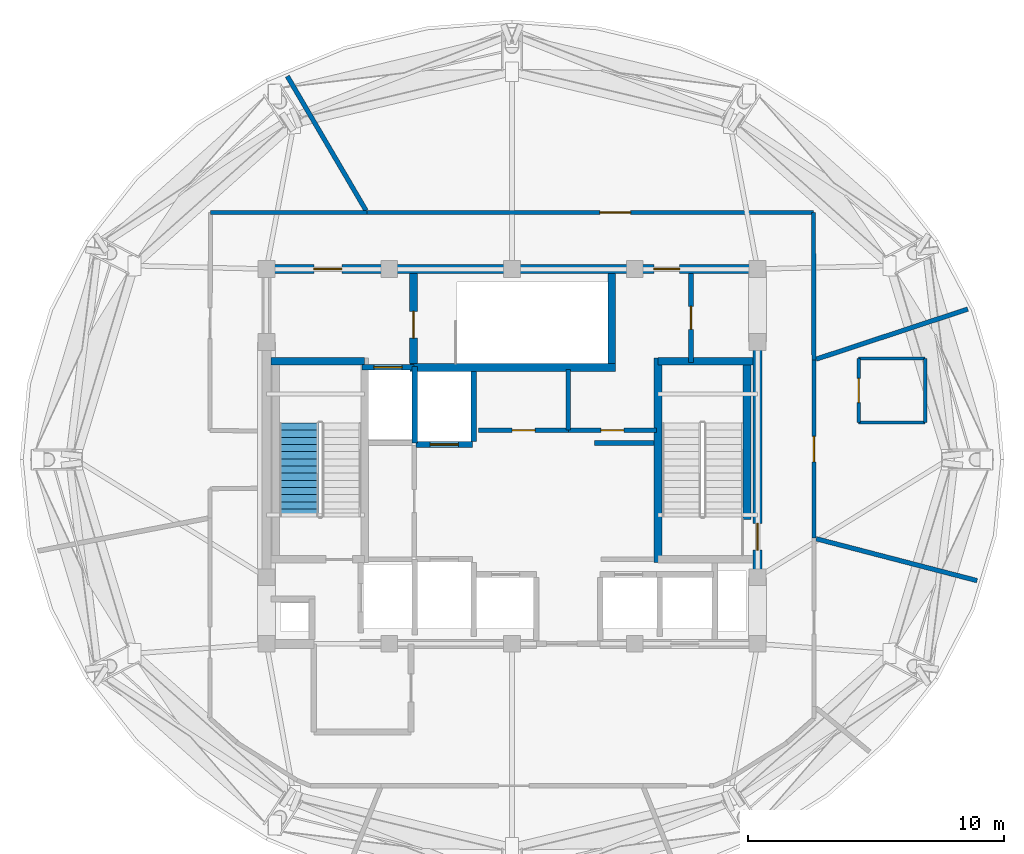
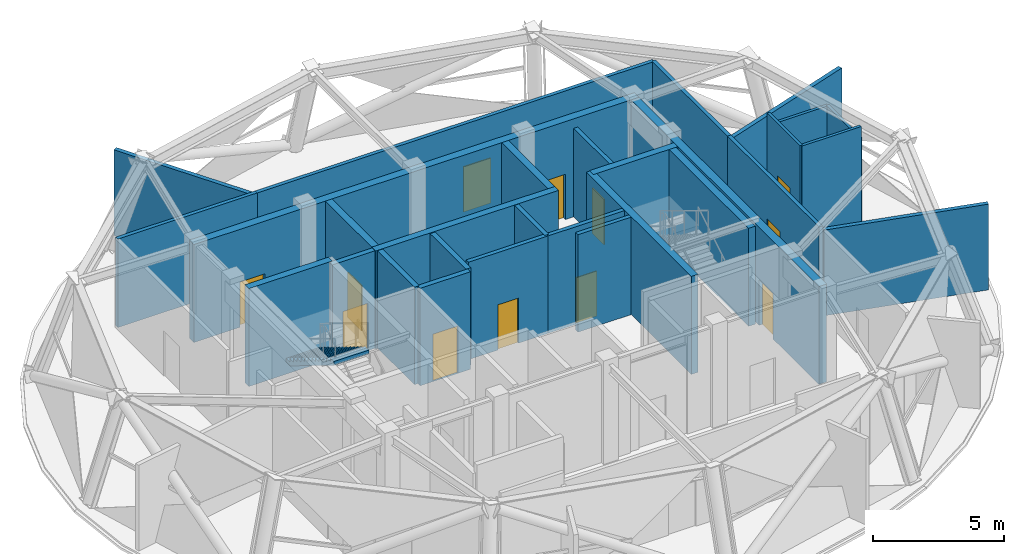
# One storey, part 6 of 11: 29 walls, 12 doors, 1 stair flight, 12 openings, 1 element without a shape of its own.
"""IFC4 building model written with IfcOpenShell, lengths in metres."""

from ifc_helpers import new_model, si_unit, direction, frame, frame_2d, origin, place, context, subcontext, project, spatial, polyline, rectangle, outline, extrude, material, layer, layer_set, type_object, element, fill, aggregate, save


model = new_model("IFC4")

# Units and contexts
model_context = context("Model", 3, precision=1e-05, world=origin(), true_north=direction((0.0, 1.0)))
body_context = subcontext(model_context, "Body", "Model", "MODEL_VIEW")
ifc_project = project(units=[si_unit("LENGTHUNIT", "METRE"), si_unit("AREAUNIT", "SQUARE_METRE"), si_unit("VOLUMEUNIT", "CUBIC_METRE"), si_unit("PLANEANGLEUNIT", "RADIAN"), si_unit("MASSUNIT", "GRAM", prefix="KILO")], contexts=[model_context])

# Site, building, storey
site_placement = place(None, origin())
site = spatial("IfcSite", under=ifc_project, at=site_placement, CompositionType="ELEMENT")
building_placement = place(site_placement, origin())
building = spatial("IfcBuilding", under=site, at=building_placement, Name="Vantalir Tower", CompositionType="ELEMENT")
storey_placement = place(building_placement, frame((0.0, 0.0, 299.699951171875)))
storey = spatial("IfcBuildingStorey", under=building, at=storey_placement, Name="L75", CompositionType="ELEMENT", Elevation=299.699951171875)

# Walls
ifc_material_1 = material(Name="Moisture-resistant en-suite partition", Category="gypsum")
ifc_layer_1 = layer(ifc_material_1, 0.125)
ifc_layer_set_1 = layer_set([ifc_layer_1], Name="Moisture-resistant en-suite partition")
wall_type_1 = type_object("IfcWallType", Name="WL-BATH-125", PredefinedType="PARTITIONING", material=ifc_layer_set_1)
wall_1_placement = place(storey_placement, frame((45.052978515625, 26.450927734375, 0.0), z_axis=(0.0, 0.0, 1.0), x_axis=(1.0, 0.0, 0.0)))
element("IfcWall", 1, at=wall_1_placement, inside=storey, type_object=wall_type_1, Name="L75 Accessible WC South Wall", PredefinedType="PARTITIONING", context=body_context, shape_type="SweptSolid", body=[
    extrude(rectangle(XDim=2.60009765625, YDim=0.125, at=frame_2d((1.300048828125, 0.0))), origin(), (0.0, 0.0, 1.0), 4.530029296875),
])
wall_2_placement = place(storey_placement, frame((45.052978515625, 28.950927734375, 0.0), z_axis=(0.0, 0.0, 1.0), x_axis=(1.0, 0.0, 0.0)))
element("IfcWall", 2, at=wall_2_placement, inside=storey, type_object=wall_type_1, Name="L75 Accessible WC North Wall", PredefinedType="PARTITIONING", context=body_context, shape_type="SweptSolid", body=[
    extrude(rectangle(XDim=2.60009765625, YDim=0.125, at=frame_2d((1.300048828125, 0.0))), origin(), (0.0, 0.0, 1.0), 3.983154296875),
])

# Wall, opening, door
wall_3_placement = place(storey_placement, frame((45.052978515625, 26.450927734375, 0.0), z_axis=(0.0, 0.0, 1.0), x_axis=(0.0, 1.0, 0.0)))
wall_3 = element("IfcWall", 3, at=wall_3_placement, inside=storey, type_object=wall_type_1, Name="L75 Accessible WC West Wall", PredefinedType="PARTITIONING", context=body_context, shape_type="SweptSolid", body=[
    extrude(rectangle(XDim=2.5, YDim=0.125, at=frame_2d((1.25, 0.0))), origin(), (0.0, 0.0, 1.0), 4.530029296875),
])
opening_1_placement = place(wall_3_placement, frame((0.77490234375, 0.0, 0.0)))
opening_1 = element("IfcOpeningElement", 4, at=opening_1_placement, cuts=wall_3, Name="Opening D-AWC", PredefinedType="OPENING", context=body_context, shape_type="SweptSolid", body=[
    extrude(rectangle(XDim=0.949951171875, YDim=2.10009765625, at=frame_2d((0.47509765625, 1.050048828125))), frame((0.0, 0.072509765625, 0.0), z_axis=(0.0, -1.0, 0.0), x_axis=(1.0, 0.0, 0.0)), (0.0, 0.0, 1.0), 0.14501953125),
])
ifc_material_2 = material(Name="Accessible toilet outward-opening hardwood door", Category="wood")
door_type_1 = type_object("IfcDoorType", Name="DR-ACC-WC-950", OperationType="NOTDEFINED", PredefinedType="DOOR", material=ifc_material_2)
door_1_placement = place(opening_1_placement, origin())
door_1 = element("IfcDoor", 5, at=door_1_placement, inside=storey, type_object=door_type_1, Name="L75 Accessible WC Door", OperationType="SINGLE_SWING_LEFT", OverallHeight=2.10009765625, OverallWidth=0.949951171875, PredefinedType="DOOR", context=body_context, shape_type="SweptSolid", body=[
    extrude(rectangle(XDim=0.949951171875, YDim=2.10009765625, at=frame_2d((0.47509765625, 1.050048828125))), frame((0.0, 0.02490234375, 0.0), z_axis=(0.0, -1.0, 0.0), x_axis=(1.0, 0.0, 0.0)), (0.0, 0.0, 1.0), 0.050048828125),
])
fill(opening_1, door_1)

# Wall
wall_4_placement = place(storey_placement, frame((47.653076171875, 26.450927734375, 0.0), z_axis=(0.0, 0.0, 1.0), x_axis=(0.0, 1.0, 0.0)))
element("IfcWall", 6, at=wall_4_placement, inside=storey, type_object=wall_type_1, Name="L75 Accessible WC East Wall", PredefinedType="PARTITIONING", context=body_context, shape_type="SweptSolid", body=[
    extrude(rectangle(XDim=2.5, YDim=0.125, at=frame_2d((1.25, 0.0))), origin(), (0.0, 0.0, 1.0), 3.983154296875),
])

# Wall, openings, doors
ifc_material_3 = material(Name="Concrete C50/60", Category="concrete")
ifc_layer_2 = layer(ifc_material_3, 0.35009765625)
ifc_layer_set_2 = layer_set([ifc_layer_2], Name="Concrete C50/60")
wall_type_2 = type_object("IfcWallType", Name="WL-CORE-350", PredefinedType="SHEAR", material=ifc_layer_set_2)
wall_5_placement = place(storey_placement, frame((21.72509765625, 32.449951171875, 0.0), z_axis=(0.0, 0.0, 1.0), x_axis=(1.0, 0.0, 0.0)))
wall_5 = element("IfcWall", 7, at=wall_5_placement, inside=storey, type_object=wall_type_2, Name="L75 Core Shear Wall North", PredefinedType="SHEAR", context=body_context, shape_type="SweptSolid", body=[
    extrude(rectangle(XDim=19.5498046875, YDim=0.35009765625, at=frame_2d((9.77490234375, 0.0))), origin(), (0.0, 0.0, 1.0), 4.550048828125),
])
opening_2_placement = place(wall_5_placement, frame((2.02490234375, 0.0, 0.0)))
opening_2 = element("IfcOpeningElement", 8, at=opening_2_placement, cuts=wall_5, Name="Opening D-FFL", PredefinedType="OPENING", context=body_context, shape_type="SweptSolid", body=[
    extrude(rectangle(XDim=1.10009765625, YDim=2.10009765625, at=frame_2d((0.550048828125, 1.050048828125))), frame((0.0, 0.18505859375, 0.0), z_axis=(0.0, -1.0, 0.0), x_axis=(1.0, 0.0, 0.0)), (0.0, 0.0, 1.0), 0.3701171875),
])
opening_3_placement = place(wall_5_placement, frame((15.324951171875, 0.0, 0.0)))
opening_3 = element("IfcOpeningElement", 9, at=opening_3_placement, cuts=wall_5, Name="Opening D-GUEST", PredefinedType="OPENING", context=body_context, shape_type="SweptSolid", body=[
    extrude(rectangle(XDim=1.0, YDim=2.10009765625, at=frame_2d((0.5, 1.050048828125))), frame((0.0, 0.18505859375, 0.0), z_axis=(0.0, -1.0, 0.0), x_axis=(1.0, 0.0, 0.0)), (0.0, 0.0, 1.0), 0.3701171875),
])
ifc_material_4 = material(Name="Fire-rated acoustic steel door", Category="steel")
door_type_2 = type_object("IfcDoorType", Name="DR-FIRE-LOBBY-1100", OperationType="NOTDEFINED", PredefinedType="DOOR", material=ifc_material_4)
door_2_placement = place(opening_2_placement, frame((1.10009765625, 0.0, 0.0), z_axis=(0.0, 0.0, 1.0), x_axis=(-1.0, 0.0, 0.0)))
door_2 = element("IfcDoor", 10, at=door_2_placement, inside=storey, type_object=door_type_2, Name="L75 Firefighting Lobby East Access Door", OperationType="SINGLE_SWING_LEFT", OverallHeight=2.10009765625, OverallWidth=1.10009765625, PredefinedType="DOOR", context=body_context, shape_type="SweptSolid", body=[
    extrude(rectangle(XDim=1.10009765625, YDim=2.10009765625, at=frame_2d((0.550048828125, 1.050048828125))), frame((0.0, 0.02490234375, 0.0), z_axis=(0.0, -1.0, 0.0), x_axis=(1.0, 0.0, 0.0)), (0.0, 0.0, 1.0), 0.050048828125),
])
fill(opening_2, door_2)
ifc_material_5 = material(Name="Solid-core teak veneer acoustic fire door", Category="wood")
door_type_3 = type_object("IfcDoorType", Name="DR-GUEST-ENTRY-1000", OperationType="NOTDEFINED", PredefinedType="DOOR", material=ifc_material_5)
door_3_placement = place(opening_3_placement, frame((1.0, 0.0, 0.0), z_axis=(0.0, 0.0, 1.0), x_axis=(-1.0, 0.0, 0.0)))
door_3 = element("IfcDoor", 11, at=door_3_placement, inside=storey, type_object=door_type_3, Name="L75 North Core Service Lobby Door", OperationType="SINGLE_SWING_LEFT", OverallHeight=2.10009765625, OverallWidth=1.0, PredefinedType="DOOR", context=body_context, shape_type="SweptSolid", body=[
    extrude(rectangle(XDim=1.0, YDim=2.10009765625, at=frame_2d((0.5, 1.050048828125))), frame((0.0, 0.02490234375, 0.0), z_axis=(0.0, -1.0, 0.0), x_axis=(1.0, 0.0, 0.0)), (0.0, 0.0, 1.0), 0.050048828125),
])
fill(opening_3, door_3)

# Wall, opening, door
wall_6_placement = place(storey_placement, frame((41.10009765625, 17.97509765625, 0.0), z_axis=(0.0, 0.0, 1.0), x_axis=(0.0, 1.0, 0.0)))
wall_6 = element("IfcWall", 12, at=wall_6_placement, inside=storey, type_object=wall_type_2, Name="L75 Core Shear Wall East", PredefinedType="SHEAR", context=body_context, shape_type="SweptSolid", body=[
    extrude(rectangle(XDim=14.2998046875, YDim=0.35009765625, at=frame_2d((7.14990234375, 0.0))), origin(), (0.0, 0.0, 1.0), 4.550048828125),
])
opening_4_placement = place(wall_6_placement, frame((3.485107421875, 0.0, 0.0)))
opening_4 = element("IfcOpeningElement", 13, at=opening_4_placement, cuts=wall_6, Name="Opening D-ST", PredefinedType="OPENING", context=body_context, shape_type="SweptSolid", body=[
    extrude(rectangle(XDim=1.050048828125, YDim=2.10009765625, at=frame_2d((0.52490234375, 1.050048828125))), frame((0.0, 0.18505859375, 0.0), z_axis=(0.0, -1.0, 0.0), x_axis=(1.0, 0.0, 0.0)), (0.0, 0.0, 1.0), 0.3701171875),
])
ifc_material_6 = material(Name="Fire-rated steel door leaf", Category="steel")
door_type_4 = type_object("IfcDoorType", Name="DR-FIRE-STAIR-1050", OperationType="NOTDEFINED", PredefinedType="DOOR", material=ifc_material_6)
door_4_placement = place(opening_4_placement, origin())
door_4 = element("IfcDoor", 14, at=door_4_placement, inside=storey, type_object=door_type_4, Name="L75 Exit Stair ST2 Fire Door", OperationType="SINGLE_SWING_LEFT", OverallHeight=2.10009765625, OverallWidth=1.050048828125, PredefinedType="DOOR", context=body_context, shape_type="SweptSolid", body=[
    extrude(rectangle(XDim=1.050048828125, YDim=2.10009765625, at=frame_2d((0.52490234375, 1.050048828125))), frame((0.0, 0.02490234375, 0.0), z_axis=(0.0, -1.0, 0.0), x_axis=(1.0, 0.0, 0.0)), (0.0, 0.0, 1.0), 0.050048828125),
])
fill(opening_4, door_4)

# Wall
ifc_material_7 = material(Name="Fire-rated hotel corridor acoustic partition", Category="gypsum")
ifc_layer_3 = layer(ifc_material_7, 0.159912109375)
ifc_layer_set_3 = layer_set([ifc_layer_3], Name="Fire-rated hotel corridor acoustic partition")
wall_type_3 = type_object("IfcWallType", Name="WL-CORR-160", PredefinedType="PARTITIONING", material=ifc_layer_set_3)
wall_7_placement = place(storey_placement, frame((19.7099609375, 34.662109375, 0.0), z_axis=(0.0, 0.0, 1.0), x_axis=(1.0, 0.0, 0.0)))
element("IfcWall", 15, at=wall_7_placement, inside=storey, type_object=wall_type_3, Name="L75 Corridor Partition 03", PredefinedType="PARTITIONING", context=body_context, shape_type="SweptSolid", body=[
    extrude(rectangle(XDim=6.129150390625, YDim=0.159912109375, at=frame_2d((3.064453125, 0.0))), origin(), (0.0, 0.0, 1.0), 4.112060546875),
])

# Wall, opening, door
wall_8_placement = place(storey_placement, frame((25.839111328125, 34.662109375, 0.0), z_axis=(0.0, 0.0, 1.0), x_axis=(0.999999992077, -0.000125882928, 0.0)))
wall_8 = element("IfcWall", 16, at=wall_8_placement, inside=storey, type_object=wall_type_3, Name="L75 Corridor Partition 04", PredefinedType="PARTITIONING", context=body_context, shape_type="SweptSolid", body=[
    extrude(rectangle(XDim=17.454833984375, YDim=0.159912109375, at=frame_2d((8.7275390625, 0.0))), origin(), (0.0, 0.0, 1.0), 4.112060546875),
])
opening_5_placement = place(wall_8_placement, frame((9.095947265625, 0.0, 0.0)))
opening_5 = element("IfcOpeningElement", 17, at=opening_5_placement, cuts=wall_8, Name="Opening D-STE", PredefinedType="OPENING", context=body_context, shape_type="SweptSolid", body=[
    extrude(rectangle(XDim=1.199951171875, YDim=2.10009765625, at=frame_2d((0.60009765625, 1.050048828125))), frame((0.0, 0.08984375, 0.0), z_axis=(0.0, -1.0, 0.0), x_axis=(1.0, 0.0, 0.0)), (0.0, 0.0, 1.0), 0.179931640625),
])
ifc_material_8 = material(Name="Solid-core teak veneer suite entrance door", Category="wood")
door_type_5 = type_object("IfcDoorType", Name="DR-SUITE-ENTRY-1200", OperationType="NOTDEFINED", PredefinedType="DOOR", material=ifc_material_8)
door_5_placement = place(opening_5_placement, origin())
door_5 = element("IfcDoor", 18, at=door_5_placement, inside=storey, type_object=door_type_5, Name="L75 Upper Observation Viewing Gallery Door", OperationType="SINGLE_SWING_LEFT", OverallHeight=2.10009765625, OverallWidth=1.199951171875, PredefinedType="DOOR", context=body_context, shape_type="SweptSolid", body=[
    extrude(rectangle(XDim=1.199951171875, YDim=2.10009765625, at=frame_2d((0.60009765625, 1.050048828125))), frame((0.0, 0.02490234375, 0.0), z_axis=(0.0, -1.0, 0.0), x_axis=(1.0, 0.0, 0.0)), (0.0, 0.0, 1.0), 0.050048828125),
])
fill(opening_5, door_5)

# Wall
wall_9_placement = place(storey_placement, frame((43.2939453125, 34.659912109375, 0.0), z_axis=(0.0, 0.0, 1.0), x_axis=(0.000889641673, -0.999999604269, 0.0)))
element("IfcWall", 19, at=wall_9_placement, inside=storey, type_object=wall_type_3, Name="L75 Corridor Partition 05", PredefinedType="PARTITIONING", context=body_context, shape_type="SweptSolid", body=[
    extrude(rectangle(XDim=5.762939453125, YDim=0.159912109375, at=frame_2d((2.88134765625, 0.0))), origin(), (0.0, 0.0, 1.0), 4.112060546875),
])

# Wall, opening, door
wall_10_placement = place(storey_placement, frame((43.299072265625, 28.89697265625, 0.0), z_axis=(0.0, 0.0, 1.0), x_axis=(0.000840777422, -0.999999646547, 0.0)))
wall_10 = element("IfcWall", 20, at=wall_10_placement, inside=storey, type_object=wall_type_3, Name="L75 Corridor Partition 06", PredefinedType="PARTITIONING", context=body_context, shape_type="SweptSolid", body=[
    extrude(rectangle(XDim=6.968994140625, YDim=0.159912109375, at=frame_2d((3.484375, 0.0))), origin(), (0.0, 0.0, 1.0), 4.112060546875),
])
opening_6_placement = place(wall_10_placement, frame((2.985107421875, 0.0, 0.0)))
opening_6 = element("IfcOpeningElement", 21, at=opening_6_placement, cuts=wall_10, Name="Opening D-GUEST", PredefinedType="OPENING", context=body_context, shape_type="SweptSolid", body=[
    extrude(rectangle(XDim=1.0, YDim=2.10009765625, at=frame_2d((0.5, 1.050048828125))), frame((0.0, 0.08984375, 0.0), z_axis=(0.0, -1.0, 0.0), x_axis=(1.0, 0.0, 0.0)), (0.0, 0.0, 1.0), 0.179931640625),
])
door_6_placement = place(opening_6_placement, origin())
door_6 = element("IfcDoor", 22, at=door_6_placement, inside=storey, type_object=door_type_3, Name="L75 Sanitary Vestibule Door", OperationType="SINGLE_SWING_LEFT", OverallHeight=2.10009765625, OverallWidth=1.0, PredefinedType="DOOR", context=body_context, shape_type="SweptSolid", body=[
    extrude(rectangle(XDim=1.0, YDim=2.10009765625, at=frame_2d((0.5, 1.050048828125))), frame((0.0, 0.02490234375, 0.0), z_axis=(0.0, -1.0, 0.0), x_axis=(1.0, 0.0, 0.0)), (0.0, 0.0, 1.0), 0.050048828125),
])
fill(opening_6, door_6)

# Wall
ifc_material_9 = material(Name="Concrete blockwork with fireboard lining", Category="masonry")
ifc_layer_4 = layer(ifc_material_9, 0.219970703125)
ifc_layer_set_4 = layer_set([ifc_layer_4], Name="Concrete blockwork with fireboard lining")
wall_type_4 = type_object("IfcWallType", Name="WL-FFL-220", PredefinedType="PARTITIONING", material=ifc_layer_set_4)
wall_11_placement = place(storey_placement, frame((30.0, 25.7099609375, 0.0), z_axis=(0.0, 0.0, 1.0), x_axis=(0.0, 1.0, 0.0)))
element("IfcWall", 23, at=wall_11_placement, inside=storey, type_object=wall_type_4, Name="L75 Service Lift SV2 East Shaft Wall", PredefinedType="PARTITIONING", context=body_context, shape_type="SweptSolid", body=[
    extrude(rectangle(XDim=2.72998046875, YDim=0.219970703125, at=frame_2d((1.364990234375, 0.0))), origin(), (0.0, 0.0, 1.0), 4.525146484375),
])

# Wall, opening, door
wall_12_placement = place(storey_placement, frame((25.639892578125, 28.610107421875, 0.0), z_axis=(0.0, 0.0, 1.0), x_axis=(1.0, 0.0, 0.0)))
wall_12 = element("IfcWall", 24, at=wall_12_placement, inside=storey, type_object=wall_type_4, Name="L75 Lift FL2 Shaft Front Wall", PredefinedType="PARTITIONING", context=body_context, shape_type="SweptSolid", body=[
    extrude(rectangle(XDim=2.02001953125, YDim=0.219970703125, at=frame_2d((1.010009765625, 0.0))), origin(), (0.0, 0.0, 1.0), 4.530029296875),
])
opening_7_placement = place(wall_12_placement, frame((0.4599609375, 0.0, 0.0)))
opening_7 = element("IfcOpeningElement", 25, at=opening_7_placement, cuts=wall_12, Name="Opening LD-FL2", PredefinedType="OPENING", context=body_context, shape_type="SweptSolid", body=[
    extrude(rectangle(XDim=1.10009765625, YDim=2.199951171875, at=frame_2d((0.550048828125, 1.10009765625))), frame((0.0, 0.119873046875, 0.0), z_axis=(0.0, -1.0, 0.0), x_axis=(1.0, 0.0, 0.0)), (0.0, 0.0, 1.0), 0.239990234375),
])
ifc_material_10 = material(Name="Brushed stainless-steel sliding lift landing door", Category="steel")
door_type_6 = type_object("IfcDoorType", Name="DR-LIFT-LANDING-1100", OperationType="DOUBLE_DOOR_SLIDING", PredefinedType="DOOR", material=ifc_material_10)
door_7_placement = place(opening_7_placement, origin())
door_7 = element("IfcDoor", 26, at=door_7_placement, inside=storey, type_object=door_type_6, Name="L75 Lift Landing Door FL2", OperationType="DOUBLE_DOOR_SLIDING", OverallHeight=2.199951171875, OverallWidth=1.10009765625, PredefinedType="DOOR", context=body_context, shape_type="SweptSolid", body=[
    extrude(rectangle(XDim=1.10009765625, YDim=2.199951171875, at=frame_2d((0.550048828125, 1.10009765625))), frame((0.0, 0.02490234375, 0.0), z_axis=(0.0, -1.0, 0.0), x_axis=(1.0, 0.0, 0.0)), (0.0, 0.0, 1.0), 0.050048828125),
])
fill(opening_7, door_7)

wall_13_placement = place(storey_placement, frame((27.739990234375, 25.590087890625, 0.0), z_axis=(0.0, 0.0, 1.0), x_axis=(1.0, 0.0, 0.0)))
wall_13 = element("IfcWall", 27, at=wall_13_placement, inside=storey, type_object=wall_type_4, Name="L75 Lift SV2 Shaft Front Wall", PredefinedType="PARTITIONING", context=body_context, shape_type="SweptSolid", body=[
    extrude(rectangle(XDim=2.219970703125, YDim=0.219970703125, at=frame_2d((1.10986328125, 0.0))), origin(), (0.0, 0.0, 1.0), 4.530029296875),
])
opening_8_placement = place(wall_13_placement, frame((0.56005859375, 0.0, 0.0)))
opening_8 = element("IfcOpeningElement", 28, at=opening_8_placement, cuts=wall_13, Name="Opening LD-SV2", PredefinedType="OPENING", context=body_context, shape_type="SweptSolid", body=[
    extrude(rectangle(XDim=1.10009765625, YDim=2.199951171875, at=frame_2d((0.550048828125, 1.10009765625))), frame((0.0, 0.119873046875, 0.0), z_axis=(0.0, -1.0, 0.0), x_axis=(1.0, 0.0, 0.0)), (0.0, 0.0, 1.0), 0.239990234375),
])
door_8_placement = place(opening_8_placement, frame((1.10009765625, 0.0, 0.0), z_axis=(0.0, 0.0, 1.0), x_axis=(-1.0, 0.0, 0.0)))
door_8 = element("IfcDoor", 29, at=door_8_placement, inside=storey, type_object=door_type_6, Name="L75 Lift Landing Door SV2", OperationType="DOUBLE_DOOR_SLIDING", OverallHeight=2.199951171875, OverallWidth=1.10009765625, PredefinedType="DOOR", context=body_context, shape_type="SweptSolid", body=[
    extrude(rectangle(XDim=1.10009765625, YDim=2.199951171875, at=frame_2d((0.550048828125, 1.10009765625))), frame((0.0, 0.02490234375, 0.0), z_axis=(0.0, -1.0, 0.0), x_axis=(1.0, 0.0, 0.0)), (0.0, 0.0, 1.0), 0.050048828125),
])
fill(opening_8, door_8)

# Walls
wall_14_placement = place(storey_placement, frame((27.699951171875, 25.64990234375, 0.0), z_axis=(0.0, 0.0, 1.0), x_axis=(0.0, 1.0, 0.0)))
element("IfcWall", 30, at=wall_14_placement, inside=storey, type_object=wall_type_4, Name="L75 Fire Lift FL2 Dividing Wall", PredefinedType="PARTITIONING", context=body_context, shape_type="SweptSolid", body=[
    extrude(rectangle(XDim=3.0, YDim=0.219970703125, at=frame_2d((1.5, 0.0))), origin(), (0.0, 0.0, 1.0), 4.530029296875),
])
ifc_material_11 = material(Name="Twin-stud acoustic fire-rated gypsum partition", Category="gypsum")
ifc_layer_5 = layer(ifc_material_11, 0.179931640625)
ifc_layer_set_5 = layer_set([ifc_layer_5], Name="Twin-stud acoustic fire-rated gypsum partition")
wall_type_5 = type_object("IfcWallType", Name="WL-GUEST-180", PredefinedType="PARTITIONING", material=ifc_layer_set_5)
wall_15_placement = place(storey_placement, frame((34.719970703125, 25.64990234375, 0.0), z_axis=(0.0, 0.0, 1.0), x_axis=(1.0, 0.0, 0.0)))
element("IfcWall", 31, at=wall_15_placement, inside=storey, type_object=wall_type_5, Name="L75 Freed East Core North Wall", PredefinedType="PARTITIONING", context=body_context, shape_type="SweptSolid", body=[
    extrude(rectangle(XDim=2.340087890625, YDim=0.179931640625, at=frame_2d((1.169921875, 0.0))), origin(), (0.0, 0.0, 1.0), 4.530029296875),
])
wall_16_placement = place(storey_placement, frame((33.699951171875, 26.14990234375, 0.0), z_axis=(0.0, 0.0, 1.0), x_axis=(0.0, 1.0, 0.0)))
element("IfcWall", 32, at=wall_16_placement, inside=storey, type_object=wall_type_5, Name="L75 Freed North-Mid Core Divider", PredefinedType="PARTITIONING", context=body_context, shape_type="SweptSolid", body=[
    extrude(rectangle(XDim=2.3701171875, YDim=0.179931640625, at=frame_2d((1.18505859375, 0.0))), origin(), (0.0, 0.0, 1.0), 4.530029296875),
])

# Wall, opening, door
wall_17_placement = place(storey_placement, frame((30.199951171875, 26.14990234375, 0.0), z_axis=(0.0, 0.0, 1.0), x_axis=(1.0, 0.0, 0.0)))
wall_17 = element("IfcWall", 33, at=wall_17_placement, inside=storey, type_object=wall_type_5, Name="L75 Freed North-Mid Core Wall W", PredefinedType="PARTITIONING", context=body_context, shape_type="SweptSolid", body=[
    extrude(rectangle(XDim=3.5, YDim=0.179931640625, at=frame_2d((1.75, 0.0))), origin(), (0.0, 0.0, 1.0), 4.530029296875),
])
opening_9_placement = place(wall_17_placement, frame((1.300048828125, 0.0, 0.0)))
opening_9 = element("IfcOpeningElement", 34, at=opening_9_placement, cuts=wall_17, Name="Opening D-CR", PredefinedType="OPENING", context=body_context, shape_type="SweptSolid", body=[
    extrude(rectangle(XDim=0.89990234375, YDim=2.10009765625, at=frame_2d((0.449951171875, 1.050048828125))), frame((0.0, 0.099853515625, 0.0), z_axis=(0.0, -1.0, 0.0), x_axis=(1.0, 0.0, 0.0)), (0.0, 0.0, 1.0), 0.199951171875),
])
ifc_material_12 = material(Name="Fire-rated steel core service door", Category="steel")
door_type_7 = type_object("IfcDoorType", Name="DR-CORE-SERV-900", OperationType="NOTDEFINED", PredefinedType="DOOR", material=ifc_material_12)
door_9_placement = place(opening_9_placement, origin())
door_9 = element("IfcDoor", 35, at=door_9_placement, inside=storey, type_object=door_type_7, Name="L75 Core Cloakroom Store Door", OperationType="SINGLE_SWING_LEFT", OverallHeight=2.10009765625, OverallWidth=0.89990234375, PredefinedType="DOOR", context=body_context, shape_type="SweptSolid", body=[
    extrude(rectangle(XDim=0.89990234375, YDim=2.10009765625, at=frame_2d((0.449951171875, 1.050048828125))), frame((0.0, 0.02490234375, 0.0), z_axis=(0.0, -1.0, 0.0), x_axis=(1.0, 0.0, 0.0)), (0.0, 0.0, 1.0), 0.050048828125),
])
fill(opening_9, door_9)

wall_18_placement = place(storey_placement, frame((33.699951171875, 26.14990234375, 0.0), z_axis=(0.0, 0.0, 1.0), x_axis=(1.0, 0.0, 0.0)))
wall_18 = element("IfcWall", 36, at=wall_18_placement, inside=storey, type_object=wall_type_5, Name="L75 Freed North-Mid Core Wall E", PredefinedType="PARTITIONING", context=body_context, shape_type="SweptSolid", body=[
    extrude(rectangle(XDim=3.449951171875, YDim=0.179931640625, at=frame_2d((1.72509765625, 0.0))), origin(), (0.0, 0.0, 1.0), 4.530029296875),
])
opening_10_placement = place(wall_18_placement, frame((1.27490234375, 0.0, 0.0)))
opening_10 = element("IfcOpeningElement", 37, at=opening_10_placement, cuts=wall_18, Name="Opening D-CR", PredefinedType="OPENING", context=body_context, shape_type="SweptSolid", body=[
    extrude(rectangle(XDim=0.89990234375, YDim=2.10009765625, at=frame_2d((0.449951171875, 1.050048828125))), frame((0.0, 0.099853515625, 0.0), z_axis=(0.0, -1.0, 0.0), x_axis=(1.0, 0.0, 0.0)), (0.0, 0.0, 1.0), 0.199951171875),
])
door_10_placement = place(opening_10_placement, origin())
door_10 = element("IfcDoor", 38, at=door_10_placement, inside=storey, type_object=door_type_7, Name="L75 Core AV Room Door", OperationType="SINGLE_SWING_RIGHT", OverallHeight=2.10009765625, OverallWidth=0.89990234375, PredefinedType="DOOR", context=body_context, shape_type="SweptSolid", body=[
    extrude(rectangle(XDim=0.89990234375, YDim=2.10009765625, at=frame_2d((0.449951171875, 1.050048828125))), frame((0.0, 0.02490234375, 0.0), z_axis=(0.0, -1.0, 0.0), x_axis=(1.0, 0.0, 0.0)), (0.0, 0.0, 1.0), 0.050048828125),
])
fill(opening_10, door_10)

wall_19_placement = place(storey_placement, frame((38.5, 28.800048828125, 0.0), z_axis=(0.0, 0.0, 1.0), x_axis=(0.0, 1.0, 0.0)))
wall_19 = element("IfcWall", 39, at=wall_19_placement, inside=storey, type_object=wall_type_5, Name="L75 Core Switchroom Partition", PredefinedType="PARTITIONING", context=body_context, shape_type="SweptSolid", body=[
    extrude(rectangle(XDim=3.474853515625, YDim=0.179931640625, at=frame_2d((1.7373046875, 0.0))), origin(), (0.0, 0.0, 1.0), 4.112060546875),
])
opening_11_placement = place(wall_19_placement, frame((1.287109375, 0.0, 0.0)))
opening_11 = element("IfcOpeningElement", 40, at=opening_11_placement, cuts=wall_19, Name="Opening D-CR", PredefinedType="OPENING", context=body_context, shape_type="SweptSolid", body=[
    extrude(rectangle(XDim=0.89990234375, YDim=2.10009765625, at=frame_2d((0.449951171875, 1.050048828125))), frame((0.0, 0.099853515625, 0.0), z_axis=(0.0, -1.0, 0.0), x_axis=(1.0, 0.0, 0.0)), (0.0, 0.0, 1.0), 0.199951171875),
])
door_11_placement = place(opening_11_placement, frame((0.89990234375, 0.0, 0.0), z_axis=(0.0, 0.0, 1.0), x_axis=(-1.0, 0.0, 0.0)))
door_11 = element("IfcDoor", 41, at=door_11_placement, inside=storey, type_object=door_type_7, Name="L75 Core Electrical Switchroom Door", OperationType="SINGLE_SWING_RIGHT", OverallHeight=2.10009765625, OverallWidth=0.89990234375, PredefinedType="DOOR", context=body_context, shape_type="SweptSolid", body=[
    extrude(rectangle(XDim=0.89990234375, YDim=2.10009765625, at=frame_2d((0.449951171875, 1.050048828125))), frame((0.0, 0.02490234375, 0.0), z_axis=(0.0, -1.0, 0.0), x_axis=(1.0, 0.0, 0.0)), (0.0, 0.0, 1.0), 0.050048828125),
])
fill(opening_11, door_11)

# Walls
wall_20_placement = place(storey_placement, frame((43.389892578125, 28.927001953125, 0.0), z_axis=(0.0, 0.0, 1.0), x_axis=(0.949563236254, 0.313575605483, 0.0)))
element("IfcWall", 42, at=wall_20_placement, inside=storey, type_object=wall_type_5, Name="L75 Radial Suite Partition 01", PredefinedType="PARTITIONING", context=body_context, shape_type="SweptSolid", body=[
    extrude(rectangle(XDim=6.244140625, YDim=0.179931640625, at=frame_2d((3.1220703125, 0.0))), origin(), (0.0, 0.0, 1.0), 3.983154296875),
])
wall_21_placement = place(storey_placement, frame((25.79296875, 34.739990234375, 0.0), z_axis=(0.0, 0.0, 1.0), x_axis=(-0.505586641507, 0.862775838749, 0.0)))
element("IfcWall", 43, at=wall_21_placement, inside=storey, type_object=wall_type_5, Name="L75 Radial Suite Partition 02", PredefinedType="PARTITIONING", context=body_context, shape_type="SweptSolid", body=[
    extrude(rectangle(XDim=6.083984375, YDim=0.179931640625, at=frame_2d((3.0419921875, 0.0))), origin(), (0.0, 0.0, 1.0), 3.983154296875),
])
wall_22_placement = place(storey_placement, frame((43.389892578125, 21.906005859375, 0.0), z_axis=(0.0, 0.0, 1.0), x_axis=(0.967777702666, -0.251806112359, 0.0)))
element("IfcWall", 44, at=wall_22_placement, inside=storey, type_object=wall_type_5, Name="L75 Radial Suite Partition 07", PredefinedType="PARTITIONING", context=body_context, shape_type="SweptSolid", body=[
    extrude(rectangle(XDim=6.5048828125, YDim=0.179931640625, at=frame_2d((3.25244140625, 0.0))), origin(), (0.0, 0.0, 1.0), 3.983154296875),
])
ifc_layer_6 = layer(ifc_material_3, 0.300048828125)
ifc_layer_set_6 = layer_set([ifc_layer_6], Name="Concrete C50/60")
wall_type_6 = type_object("IfcWallType", Name="WL-STAIR-300", PredefinedType="SHEAR", material=ifc_layer_set_6)
wall_23_placement = place(storey_placement, frame((22.074951171875, 28.85009765625, 0.0), z_axis=(0.0, 0.0, 1.0), x_axis=(1.0, 0.0, 0.0)))
element("IfcWall", 45, at=wall_23_placement, inside=storey, type_object=wall_type_6, Name="L75 Stair ST1 North Wall", PredefinedType="SHEAR", context=body_context, shape_type="SweptSolid", body=[
    extrude(rectangle(XDim=3.6650390625, YDim=0.300048828125, at=frame_2d((1.83251953125, 0.0))), origin(), (0.0, 0.0, 1.0), 4.550048828125),
])
wall_24_placement = place(storey_placement, frame((37.2099609375, 28.85009765625, 0.0), z_axis=(0.0, 0.0, 1.0), x_axis=(1.0, 0.0, 0.0)))
element("IfcWall", 46, at=wall_24_placement, inside=storey, type_object=wall_type_6, Name="L75 Stair ST2 North Wall", PredefinedType="SHEAR", context=body_context, shape_type="SweptSolid", body=[
    extrude(rectangle(XDim=3.715087890625, YDim=0.300048828125, at=frame_2d((1.857421875, 0.0))), origin(), (0.0, 0.0, 1.0), 4.550048828125),
])
wall_25_placement = place(storey_placement, frame((37.2099609375, 20.97998046875, 0.0), z_axis=(0.0, 0.0, 1.0), x_axis=(0.0, 1.0, 0.0)))
element("IfcWall", 47, at=wall_25_placement, inside=storey, type_object=wall_type_6, Name="L75 Stair ST2 West Wall", PredefinedType="SHEAR", context=body_context, shape_type="SweptSolid", body=[
    extrude(rectangle(XDim=7.989990234375, YDim=0.300048828125, at=frame_2d((3.9951171875, 0.0))), origin(), (0.0, 0.0, 1.0), 4.550048828125),
])
wall_26_placement = place(storey_placement, frame((40.68994140625, 22.64990234375, 0.0), z_axis=(0.0, 0.0, 1.0), x_axis=(0.0, 1.0, 0.0)))
element("IfcWall", 48, at=wall_26_placement, inside=storey, type_object=wall_type_6, Name="L75 Stair ST2 East Liner Wall", PredefinedType="SHEAR", context=body_context, shape_type="SweptSolid", body=[
    extrude(rectangle(XDim=6.2001953125, YDim=0.300048828125, at=frame_2d((3.10009765625, 0.0))), origin(), (0.0, 0.0, 1.0), 4.550048828125),
])
wall_27_placement = place(storey_placement, frame((27.510009765625, 28.60009765625, 0.0), z_axis=(0.0, 0.0, 1.0), x_axis=(1.0, 0.0, 0.0)))
element("IfcWall", 49, at=wall_27_placement, inside=storey, type_object=wall_type_6, Name="L75 Stair ST3 South Wall", PredefinedType="SHEAR", context=body_context, shape_type="SweptSolid", body=[
    extrude(rectangle(XDim=8.030029296875, YDim=0.300048828125, at=frame_2d((4.01513671875, 0.0))), origin(), (0.0, 0.0, 1.0), 4.550048828125),
])

# Wall, opening, door
wall_28_placement = place(storey_placement, frame((27.64990234375, 28.75, 0.0), z_axis=(0.0, 0.0, 1.0), x_axis=(0.0, 1.0, 0.0)))
wall_28 = element("IfcWall", 50, at=wall_28_placement, inside=storey, type_object=wall_type_6, Name="L75 Stair ST3 West Wall", PredefinedType="SHEAR", context=body_context, shape_type="SweptSolid", body=[
    extrude(rectangle(XDim=3.52490234375, YDim=0.300048828125, at=frame_2d((1.762451171875, 0.0))), origin(), (0.0, 0.0, 1.0), 4.550048828125),
])
opening_12_placement = place(wall_28_placement, frame((1.0, 0.0, 0.0)))
opening_12 = element("IfcOpeningElement", 51, at=opening_12_placement, cuts=wall_28, Name="Opening D-ST", PredefinedType="OPENING", context=body_context, shape_type="SweptSolid", body=[
    extrude(rectangle(XDim=1.050048828125, YDim=2.10009765625, at=frame_2d((0.52490234375, 1.050048828125))), frame((0.0, 0.159912109375, 0.0), z_axis=(0.0, -1.0, 0.0), x_axis=(1.0, 0.0, 0.0)), (0.0, 0.0, 1.0), 0.320068359375),
])
door_12_placement = place(opening_12_placement, frame((1.050048828125, 0.0, 0.0), z_axis=(0.0, 0.0, 1.0), x_axis=(-1.0, 0.0, 0.0)))
door_12 = element("IfcDoor", 52, at=door_12_placement, inside=storey, type_object=door_type_4, Name="L75 Exit Stair ST3 Fire Door", OperationType="SINGLE_SWING_RIGHT", OverallHeight=2.10009765625, OverallWidth=1.050048828125, PredefinedType="DOOR", context=body_context, shape_type="SweptSolid", body=[
    extrude(rectangle(XDim=1.050048828125, YDim=2.10009765625, at=frame_2d((0.52490234375, 1.050048828125))), frame((0.0, 0.02490234375, 0.0), z_axis=(0.0, -1.0, 0.0), x_axis=(1.0, 0.0, 0.0)), (0.0, 0.0, 1.0), 0.050048828125),
])
fill(opening_12, door_12)

# Wall
wall_29_placement = place(storey_placement, frame((35.39990234375, 28.75, 0.0), z_axis=(0.0, 0.0, 1.0), x_axis=(0.0, 1.0, 0.0)))
element("IfcWall", 53, at=wall_29_placement, inside=storey, type_object=wall_type_6, Name="L75 Stair ST3 East Wall", PredefinedType="SHEAR", context=body_context, shape_type="SweptSolid", body=[
    extrude(rectangle(XDim=3.52490234375, YDim=0.300048828125, at=frame_2d((1.762451171875, 0.0))), origin(), (0.0, 0.0, 1.0), 4.550048828125),
])

# Stair, stair flight
ifc_material_13 = material(Name="Concrete C40/50", Category="concrete")
stair_type = type_object("IfcStairType", Name="STR-CORE-1450", PredefinedType="HALF_TURN_STAIR", material=ifc_material_13)
stair_placement = place(storey_placement, origin())
stair = element("IfcStair", 54, at=stair_placement, inside=storey, type_object=stair_type, Name="L75 Core Exit Stair 1", PredefinedType="HALF_TURN_STAIR")
stair_flight_type = type_object("IfcStairFlightType", Name="FLT-CORE-1450", PredefinedType="STRAIGHT", material=ifc_material_13)
stair_flight_placement = place(storey_placement, frame((23.169921875, 26.429931640625, 2.400146484375), z_axis=(0.0, 0.0, 1.0), x_axis=(0.0, -1.0, 0.0)))
stair_flight = element("IfcStairFlight", 55, at=stair_flight_placement, type_object=stair_flight_type, Name="ST1 flight 2", NumberOfRisers=14, NumberOfTreads=13, PredefinedType="STRAIGHT", RiserHeight=0.171428571, TreadLength=0.28, context=body_context, shape_type="SweptSolid", body=[
    extrude(outline(polyline([(0.0, 0.0), (0.0, 0.17138671875), (0.280029296875, 0.17138671875), (0.280029296875, 0.3427734375), (0.56005859375, 0.3427734375), (0.56005859375, 0.514404296875), (0.840087890625, 0.514404296875), (0.840087890625, 0.685791015625), (1.1201171875, 0.685791015625), (1.1201171875, 0.857177734375), (1.39990234375, 0.857177734375), (1.39990234375, 1.028564453125), (1.679931640625, 1.028564453125), (1.679931640625, 1.199951171875), (1.9599609375, 1.199951171875), (1.9599609375, 1.371337890625), (2.239990234375, 1.371337890625), (2.239990234375, 1.54296875), (2.52001953125, 1.54296875), (2.52001953125, 1.71435546875), (2.800048828125, 1.71435546875), (2.800048828125, 1.8857421875), (3.080078125, 1.8857421875), (3.080078125, 2.05712890625), (3.360107421875, 2.05712890625), (3.360107421875, 2.228515625), (3.639892578125, 2.228515625), (3.639892578125, 2.39990234375), (3.639892578125, 2.052734375), (0.287109375, 0.0), (0.0, 0.0)])), frame((0.0, 0.77001953125, 0.0), z_axis=(0.0, -1.0, 0.0), x_axis=(1.0, 0.0, 0.0)), (0.0, 0.0, 1.0), 1.5400390625),
])
aggregate(stair, [stair_flight])

save(model, "model.ifc")
